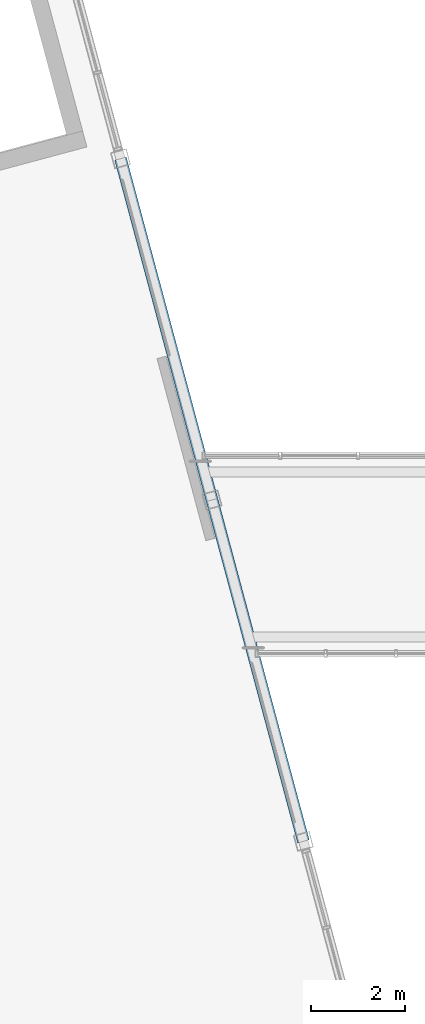
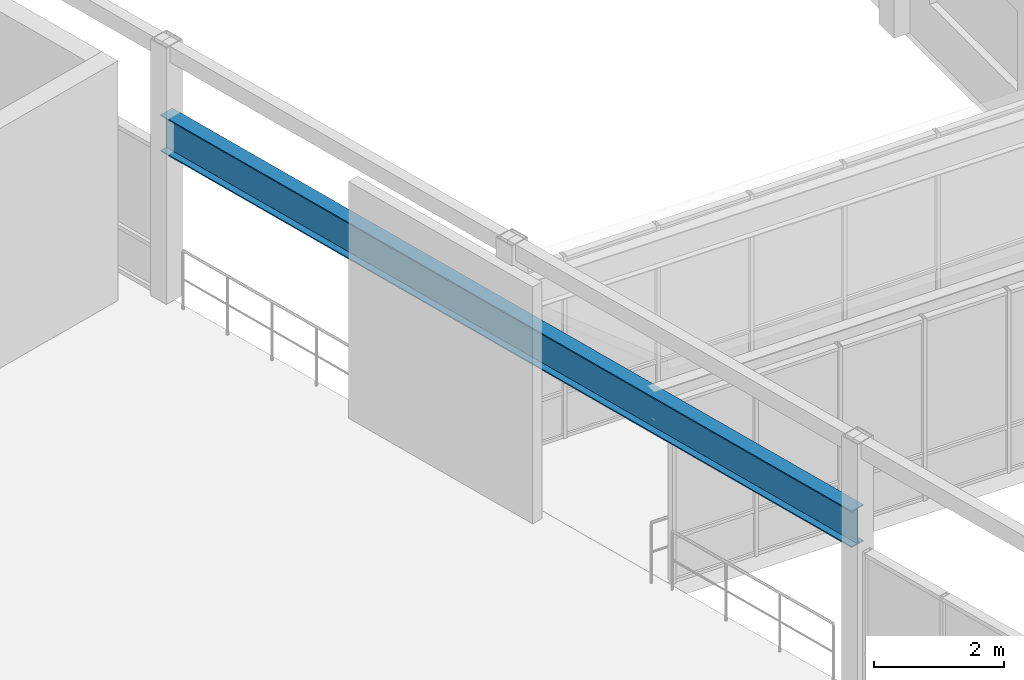
# One storey, part 43 of 99: 1 beam.
"""IFC4 building model written with IfcOpenShell, lengths in metres."""

from ifc_helpers import new_model, si_unit, direction, frame, origin, origin_2d, place, context, subcontext, project, spatial, i_section, extrude, material, material_profile, profile_set, type_object, element, save


model = new_model("IFC4")

# Units and contexts
model_context = context("Model", 3, precision=1e-05, world=origin(), true_north=direction((0.0, 1.0)))
body_context = subcontext(model_context, "Body", "Model", "MODEL_VIEW")
ifc_project = project(units=[si_unit("LENGTHUNIT", "METRE"), si_unit("AREAUNIT", "SQUARE_METRE"), si_unit("VOLUMEUNIT", "CUBIC_METRE"), si_unit("PLANEANGLEUNIT", "RADIAN"), si_unit("MASSUNIT", "GRAM", prefix="KILO")], contexts=[model_context])

# Site, building, storey
site_placement = place(None, origin())
site = spatial("IfcSite", under=ifc_project, at=site_placement, CompositionType="ELEMENT")
building_placement = place(site_placement, origin())
building = spatial("IfcBuilding", under=site, at=building_placement, Name="Ventoquebrada Cableway Terminal", CompositionType="ELEMENT")
storey_placement = place(building_placement, frame((0.0, 0.0, 9.60009765625)))
storey = spatial("IfcBuildingStorey", under=building, at=storey_placement, Name="L02", CompositionType="ELEMENT", Elevation=9.60009765625)

# Beam
ifc_material = material(Name="Steel ASTM A992 Grade 50", Category="steel")
ifc_material_profile = material_profile(ifc_material, i_section(OverallWidth=0.25390625, OverallDepth=0.68798828125, WebThickness=0.01318359375, FlangeThickness=0.02099609375, at=origin_2d()), Name="W27X102")
ifc_profile_set = profile_set([ifc_material_profile], Name="Steel ASTM A992 Grade 50")
beam_type = type_object("IfcBeamType", Name="BM-ST04", PredefinedType="BEAM", material=ifc_profile_set)
beam_placement = place(storey_placement, frame((85.327880859375, 84.4140625, 3.100830078125), z_axis=(-0.258788966214, 0.965933885401, 0.0), x_axis=(-0.965933885401, -0.258788966214, 0.0)))
element("IfcBeam", 1, at=beam_placement, inside=storey, type_object=beam_type, Name="Bridge roof support girder LP-3 FBM-1116", PredefinedType="BEAM", context=body_context, shape_type="SweptSolid", body=[
    extrude(i_section(OverallWidth=0.25390625, OverallDepth=0.68798828125, WebThickness=0.01318359375, FlangeThickness=0.02099609375, at=origin_2d()), origin(), (0.0, 0.0, 1.0), 15.0),
])

save(model, "model.ifc")
